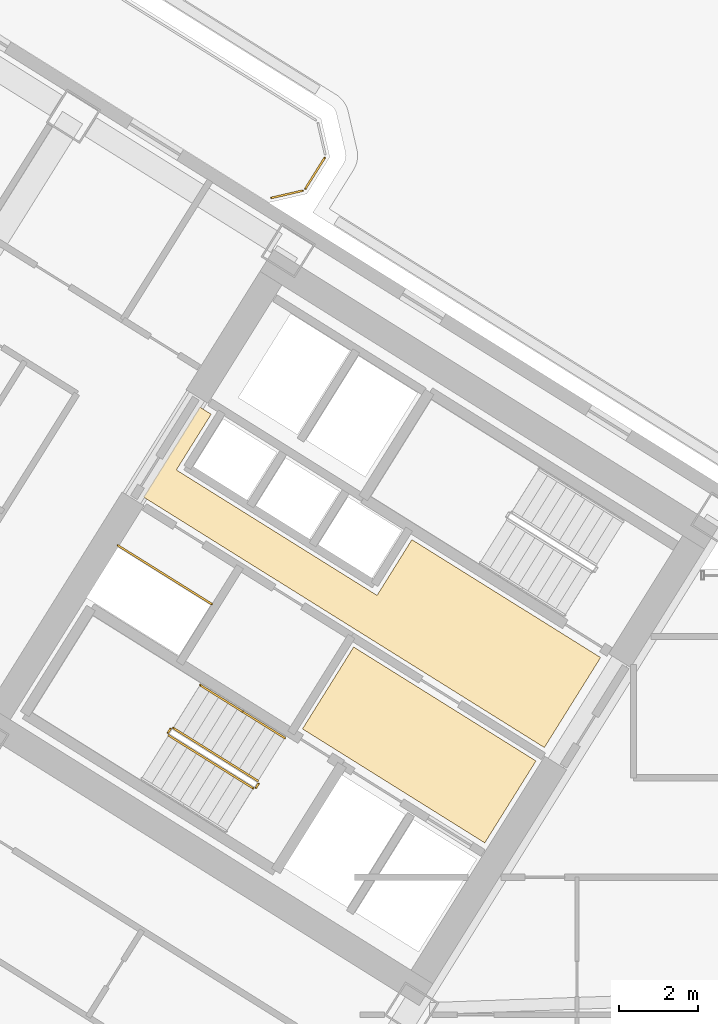
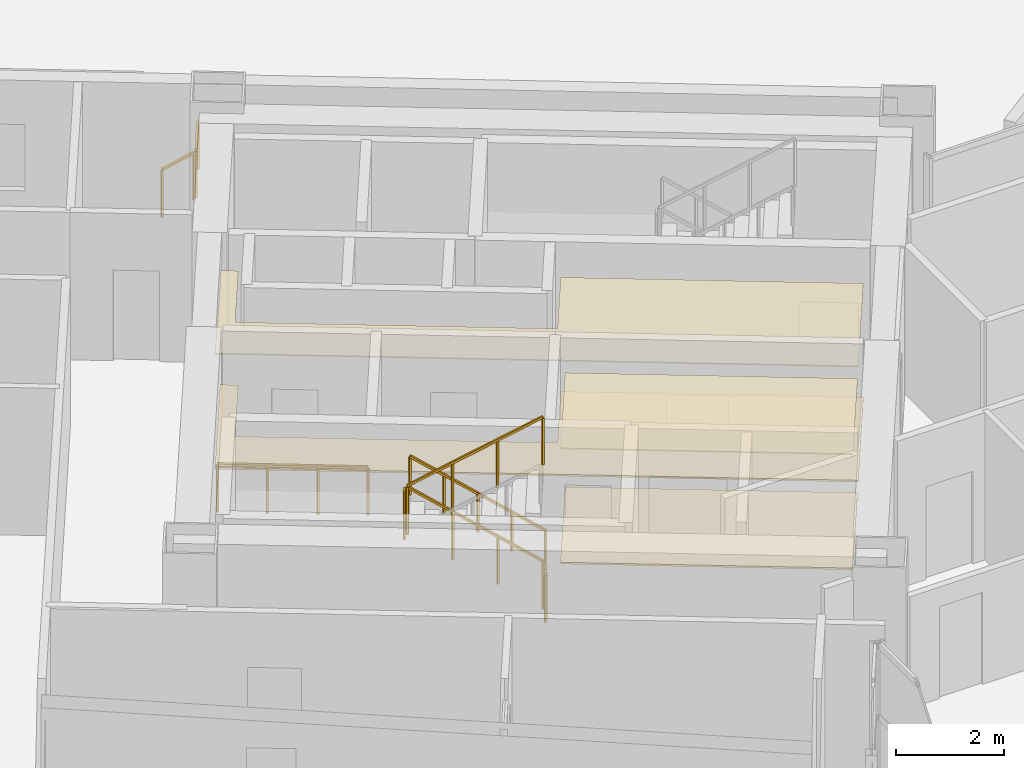
# One storey, part 23 of 28: 9 railings, 4 coverings.
"""IFC4 building model written with IfcOpenShell, lengths in metres."""

from ifc_helpers import new_model, si_unit, direction, frame, origin, origin_2d, place, context, subcontext, project, spatial, polyline, rectangle, outline, extrude, source, transform, mapped, material, layer, layer_set, type_object, element, save


model = new_model("IFC4")

# Units and contexts
model_context = context("Model", 3, precision=1e-05, world=origin(), true_north=direction((0.0, 1.0)))
body_context = subcontext(model_context, "Body", "Model", "MODEL_VIEW")
ifc_project = project(units=[si_unit("LENGTHUNIT", "METRE"), si_unit("AREAUNIT", "SQUARE_METRE"), si_unit("VOLUMEUNIT", "CUBIC_METRE"), si_unit("PLANEANGLEUNIT", "RADIAN"), si_unit("MASSUNIT", "GRAM", prefix="KILO")], contexts=[model_context])

# Site, building, storey
site_placement = place(None, origin())
site = spatial("IfcSite", under=ifc_project, at=site_placement, CompositionType="ELEMENT")
building_placement = place(site_placement, origin())
building = spatial("IfcBuilding", under=site, at=building_placement, Name="Tlacorven Tower", CompositionType="ELEMENT")
storey_placement = place(building_placement, frame((0.0, 0.0, 24.0)))
storey = spatial("IfcBuildingStorey", under=building, at=storey_placement, Name="L05", CompositionType="ELEMENT", Elevation=24.0)

# Coverings
ifc_material_1 = material(Name="Acoustic mineral-fibre ceiling")
ifc_layer_1 = layer(ifc_material_1, 0.02490234375)
ifc_layer_set_1 = layer_set([ifc_layer_1], Name="Acoustic mineral-fibre ceiling")
covering_type_1 = type_object("IfcCoveringType", Name="CV-CLG-ACST", PredefinedType="CEILING", material=ifc_layer_set_1)
covering_1_placement = place(storey_placement, frame((0.0, 0.0, 2.60009765625)))
element("IfcCovering", 1, at=covering_1_placement, inside=storey, type_object=covering_type_1, Name="L05 Acoustic Suspended Ceiling 1", PredefinedType="CEILING", context=body_context, shape_type="SweptSolid", body=[
    extrude(outline(polyline([(36.185302734375, 18.35595703125), (34.892333984375, 16.286865234375), (30.287353515625, 19.164306640625), (31.580322265625, 21.2333984375), (36.185302734375, 18.35595703125)])), origin(), (0.0, 0.0, 1.0), 0.02490234375),
])
covering_2_placement = place(storey_placement, frame((0.0, 0.0, 2.60009765625)))
element("IfcCovering", 2, at=covering_2_placement, inside=storey, type_object=covering_type_1, Name="L05 Acoustic Suspended Ceiling 2", PredefinedType="CEILING", context=body_context, shape_type="SweptSolid", body=[
    extrude(outline(polyline([(37.8173828125, 20.968017578125), (36.397216796875, 18.6953125), (26.271484375, 25.0224609375), (27.691650390625, 27.295166015625), (27.97998046875, 27.114990234375), (27.100341796875, 25.707275390625), (32.171630859375, 22.538330078125), (33.05126953125, 23.946044921875), (37.8173828125, 20.968017578125)])), origin(), (0.0, 0.0, 1.0), 0.02490234375),
])
ifc_material_2 = material(Name="Terrazzo and ceramic flooring")
ifc_layer_2 = layer(ifc_material_2, 0.0400390625)
ifc_layer_set_2 = layer_set([ifc_layer_2], Name="Terrazzo and ceramic flooring")
covering_type_2 = type_object("IfcCoveringType", Name="CV-FLR-TERZ", PredefinedType="FLOORING", material=ifc_layer_set_2)
covering_3_placement = place(storey_placement, origin())
element("IfcCovering", 3, at=covering_3_placement, inside=storey, type_object=covering_type_2, Name="L05 Terrazzo Floor Finish 1", PredefinedType="FLOORING", context=body_context, shape_type="SweptSolid", body=[
    extrude(outline(polyline([(36.185302734375, 18.35595703125), (34.892333984375, 16.286865234375), (30.287353515625, 19.164306640625), (31.580322265625, 21.2333984375), (36.185302734375, 18.35595703125)])), origin(), (0.0, 0.0, 1.0), 0.0400390625),
])
covering_4_placement = place(storey_placement, origin())
element("IfcCovering", 4, at=covering_4_placement, inside=storey, type_object=covering_type_2, Name="L05 Terrazzo Floor Finish 2", PredefinedType="FLOORING", context=body_context, shape_type="SweptSolid", body=[
    extrude(outline(polyline([(37.8173828125, 20.968017578125), (36.397216796875, 18.6953125), (26.271484375, 25.0224609375), (27.691650390625, 27.295166015625), (27.97998046875, 27.114990234375), (27.100341796875, 25.707275390625), (32.171630859375, 22.538330078125), (33.05126953125, 23.946044921875), (37.8173828125, 20.968017578125)])), origin(), (0.0, 0.0, 1.0), 0.0400390625),
])

# Railings
ifc_material_3 = material(Name="Aluminium and painted steel balustrade", Category="steel")
railing_type_1 = type_object("IfcRailingType", Name="RL-GRD-1100", PredefinedType="GUARDRAIL", material=ifc_material_3)
shared_shape_1 = source(origin(), body_context, "Body", "SweptSolid", [
    extrude(rectangle(XDim=0.048095703125, YDim=0.048095703125, at=origin_2d()), frame((0.0, 0.0, 1.076171875), z_axis=(-0.848091358275, 0.529850024081, 0.0), x_axis=(-0.529850024081, -0.848091358275, 0.0)), (0.0, 0.0, 1.0), 2.800048828125),
    extrude(rectangle(XDim=0.0419921875, YDim=0.0419921875, at=origin_2d()), origin(), (0.0, 0.0, 1.0), 1.052001953125),
    extrude(rectangle(XDim=0.0419921875, YDim=0.0419921875, at=origin_2d()), frame((-0.79150390625, 0.49462890625, 0.0)), (0.0, 0.0, 1.0), 1.052001953125),
    extrude(rectangle(XDim=0.0419921875, YDim=0.0419921875, at=origin_2d()), frame((-1.583251953125, 0.989013671875, 0.0)), (0.0, 0.0, 1.0), 1.052001953125),
    extrude(rectangle(XDim=0.0419921875, YDim=0.0419921875, at=origin_2d()), frame((-2.374755859375, 1.483642578125, 0.0)), (0.0, 0.0, 1.0), 1.052001953125),
])
railing_1_placement = place(storey_placement, frame((27.9912109375, 22.32080078125, 0.0)))
element("IfcRailing", 5, at=railing_1_placement, inside=storey, type_object=railing_type_1, Name="L05 Electrical Riser W Shaft Guard 1", PredefinedType="GUARDRAIL", context=body_context, shape_type="MappedRepresentation", body=[
    mapped(shared_shape_1, transform((0.0, 0.0, 0.0), scale=1.0)),
])
railing_type_2 = type_object("IfcRailingType", Name="RL-BAL-1100", PredefinedType="BALUSTRADE", material=ifc_material_3)
shared_shape_2 = source(origin(), body_context, "Body", "SweptSolid", [
    extrude(rectangle(XDim=0.048095703125, YDim=0.048095703125, at=origin_2d()), frame((0.0, 0.0, 1.076171875), z_axis=(-0.52987865805, -0.848073468364, 0.0), x_axis=(0.848073468364, -0.52987865805, 0.0)), (0.0, 0.0, 1.0), 0.912353515625),
    extrude(rectangle(XDim=0.0419921875, YDim=0.0419921875, at=origin_2d()), origin(), (0.0, 0.0, 1.0), 1.052001953125),
    extrude(rectangle(XDim=0.0419921875, YDim=0.0419921875, at=origin_2d()), frame((-0.4833984375, -0.773681640625, 0.0)), (0.0, 0.0, 1.0), 1.052001953125),
])
railing_2_placement = place(storey_placement, frame((30.845947265625, 33.588623046875, 0.0)))
element("IfcRailing", 6, at=railing_2_placement, inside=storey, type_object=railing_type_2, Name="BAL-L05-W-IN Guard Railing 2", PredefinedType="BALUSTRADE", context=body_context, shape_type="MappedRepresentation", body=[
    mapped(shared_shape_2, transform((0.0, 0.0, 0.0), scale=1.0)),
])
shared_shape_3 = source(origin(), body_context, "Body", "SweptSolid", [
    extrude(rectangle(XDim=0.048095703125, YDim=0.048095703125, at=origin_2d()), frame((0.0, 0.0, 1.076171875), z_axis=(-0.974345290916, -0.225058334816, 0.0), x_axis=(0.225058334816, -0.974345290916, 0.0)), (0.0, 0.0, 1.0), 0.80712890625),
    extrude(rectangle(XDim=0.0419921875, YDim=0.0419921875, at=origin_2d()), origin(), (0.0, 0.0, 1.0), 1.052001953125),
    extrude(rectangle(XDim=0.0419921875, YDim=0.0419921875, at=origin_2d()), frame((-0.786376953125, -0.181640625, 0.0)), (0.0, 0.0, 1.0), 1.052001953125),
])
railing_3_placement = place(storey_placement, frame((30.287353515625, 32.761474609375, 0.0)))
element("IfcRailing", 7, at=railing_3_placement, inside=storey, type_object=railing_type_2, Name="BAL-L05-W-IN Guard Railing 3", PredefinedType="BALUSTRADE", context=body_context, shape_type="MappedRepresentation", body=[
    mapped(shared_shape_3, transform((0.0, 0.0, 0.0), scale=1.0)),
])
shared_shape_4 = source(origin(), body_context, "Body", "SweptSolid", [
    extrude(rectangle(XDim=0.048095703125, YDim=0.048095703125, at=origin_2d()), frame((0.0, 0.0, 1.076171875), z_axis=(-0.529084052582, -0.848569422795, 0.0), x_axis=(0.848569422795, -0.529084052582, 0.0)), (0.0, 0.0, 1.0), 0.119873046875),
    extrude(rectangle(XDim=0.0419921875, YDim=0.0419921875, at=origin_2d()), origin(), (0.0, 0.0, 1.0), 1.052001953125),
    extrude(rectangle(XDim=0.0419921875, YDim=0.0419921875, at=origin_2d()), frame((-0.0634765625, -0.101806640625, 0.0)), (0.0, 0.0, 1.0), 1.052001953125),
])
railing_4_placement = place(storey_placement, frame((29.176513671875, 17.782958984375, 0.0)))
element("IfcRailing", 8, at=railing_4_placement, inside=storey, type_object=railing_type_1, Name="L05 ST-W1 stair guard 4", PredefinedType="GUARDRAIL", context=body_context, shape_type="MappedRepresentation", body=[
    mapped(shared_shape_4, transform((0.0, 0.0, 0.0), scale=1.0)),
])
shared_shape_5 = source(origin(), body_context, "Body", "SweptSolid", [
    extrude(rectangle(XDim=0.048095703125, YDim=0.048095703125, at=origin_2d()), frame((0.0, 0.0, 1.076171875), z_axis=(-0.713319727316, 0.445773895627, 0.540796265334), x_axis=(-0.529955395941, -0.84802551749, 0.0)), (0.0, 0.0, 1.0), 2.995849609375),
    extrude(rectangle(XDim=0.0419921875, YDim=0.0419921875, at=origin_2d()), origin(), (0.0, 0.0, 1.0), 1.052001953125),
    extrude(rectangle(XDim=0.0419921875, YDim=0.0419921875, at=origin_2d()), frame((-0.71240234375, 0.445068359375, 0.5400390625)), (0.0, 0.0, 1.0), 1.052001953125),
    extrude(rectangle(XDim=0.0419921875, YDim=0.0419921875, at=origin_2d()), frame((-1.424560546875, 0.890380859375, 1.080078125)), (0.0, 0.0, 1.0), 1.052001953125),
    extrude(rectangle(XDim=0.0419921875, YDim=0.0419921875, at=origin_2d()), frame((-2.136962890625, 1.33544921875, 1.6201171875)), (0.0, 0.0, 1.0), 1.052001953125),
])
railing_5_placement = place(storey_placement, frame((29.16064453125, 17.851806640625, 0.179931640625)))
element("IfcRailing", 9, at=railing_5_placement, inside=storey, type_object=railing_type_1, Name="L05 ST-W1 stair guard 1", PredefinedType="GUARDRAIL", context=body_context, shape_type="MappedRepresentation", body=[
    mapped(shared_shape_5, transform((0.0, 0.0, 0.0), scale=1.0)),
])
shared_shape_6 = source(origin(), body_context, "Body", "SweptSolid", [
    extrude(rectangle(XDim=0.048095703125, YDim=0.048095703125, at=origin_2d()), frame((0.0, 0.0, 1.076171875), z_axis=(-0.530546985787, -0.847655529016, 0.0), x_axis=(0.847655529016, -0.530546985787, 0.0)), (0.0, 0.0, 1.0), 0.1201171875),
    extrude(rectangle(XDim=0.0419921875, YDim=0.0419921875, at=origin_2d()), origin(), (0.0, 0.0, 1.0), 1.052001953125),
    extrude(rectangle(XDim=0.0419921875, YDim=0.0419921875, at=origin_2d()), frame((-0.063720703125, -0.101806640625, 0.0)), (0.0, 0.0, 1.0), 1.052001953125),
])
railing_6_placement = place(storey_placement, frame((26.954833984375, 19.17138671875, 1.800048828125)))
element("IfcRailing", 10, at=railing_6_placement, inside=storey, type_object=railing_type_1, Name="L05 ST-W1 stair guard 2", PredefinedType="GUARDRAIL", context=body_context, shape_type="MappedRepresentation", body=[
    mapped(shared_shape_6, transform((0.0, 0.0, 0.0), scale=1.0)),
])
shared_shape_7 = source(origin(), body_context, "Body", "SweptSolid", [
    extrude(rectangle(XDim=0.048095703125, YDim=0.048095703125, at=origin_2d()), frame((0.0, 0.0, 1.076171875), z_axis=(0.713359751793, -0.4457479829, 0.540764828981), x_axis=(0.529911857636, 0.848052724267, 0.0)), (0.0, 0.0, 1.0), 2.99609375),
    extrude(rectangle(XDim=0.0419921875, YDim=0.0419921875, at=origin_2d()), origin(), (0.0, 0.0, 1.0), 1.052001953125),
    extrude(rectangle(XDim=0.0419921875, YDim=0.0419921875, at=origin_2d()), frame((0.71240234375, -0.445068359375, 0.5400390625)), (0.0, 0.0, 1.0), 1.052001953125),
    extrude(rectangle(XDim=0.0419921875, YDim=0.0419921875, at=origin_2d()), frame((1.4248046875, -0.890380859375, 1.080078125)), (0.0, 0.0, 1.0), 1.052001953125),
    extrude(rectangle(XDim=0.0419921875, YDim=0.0419921875, at=origin_2d()), frame((2.13720703125, -1.33544921875, 1.6201171875)), (0.0, 0.0, 1.0), 1.052001953125),
])
railing_7_placement = place(storey_placement, frame((26.906982421875, 19.000732421875, 1.97998046875)))
element("IfcRailing", 11, at=railing_7_placement, inside=storey, type_object=railing_type_1, Name="L05 ST-W1 stair guard 3", PredefinedType="GUARDRAIL", context=body_context, shape_type="MappedRepresentation", body=[
    mapped(shared_shape_7, transform((0.0, 0.0, 0.0), scale=1.0)),
])
railing_type_3 = type_object("IfcRailingType", Name="RL-HND-0900", PredefinedType="HANDRAIL", material=ifc_material_3)
shared_shape_8 = source(origin(), body_context, "Body", "SweptSolid", [
    extrude(rectangle(XDim=0.048095703125, YDim=0.048095703125, at=origin_2d()), frame((0.0, 0.0, 0.8759765625), z_axis=(-0.713359751793, 0.4457479829, 0.540764828981), x_axis=(-0.529911857636, -0.848052724267, 0.0)), (0.0, 0.0, 1.0), 1.498046875),
    extrude(rectangle(XDim=0.0419921875, YDim=0.0419921875, at=origin_2d()), origin(), (0.0, 0.0, 1.0), 0.851806640625),
    extrude(rectangle(XDim=0.0419921875, YDim=0.0419921875, at=origin_2d()), frame((-0.5341796875, 0.333984375, 0.405029296875)), (0.0, 0.0, 1.0), 0.851806640625),
    extrude(rectangle(XDim=0.0419921875, YDim=0.0419921875, at=origin_2d()), frame((-1.068603515625, 0.667724609375, 0.81005859375)), (0.0, 0.0, 1.0), 0.851806640625),
])
for number, where, name in (
    (12, (29.839111328125, 18.937255859375, 0.179931640625), "L05 ST-W1 stair handrail 1"),
    (13, (28.7705078125, 19.60498046875, 0.989990234375), "L05 ST-W1 stair handrail 2"),
):
    element("IfcRailing", number, at=place(storey_placement, frame(where)), inside=storey, type_object=railing_type_3, Name=name, PredefinedType="HANDRAIL", context=body_context, shape_type="MappedRepresentation", body=[
        mapped(shared_shape_8, transform((0.0, 0.0, 0.0), scale=1.0)),
    ])

save(model, "model.ifc")
